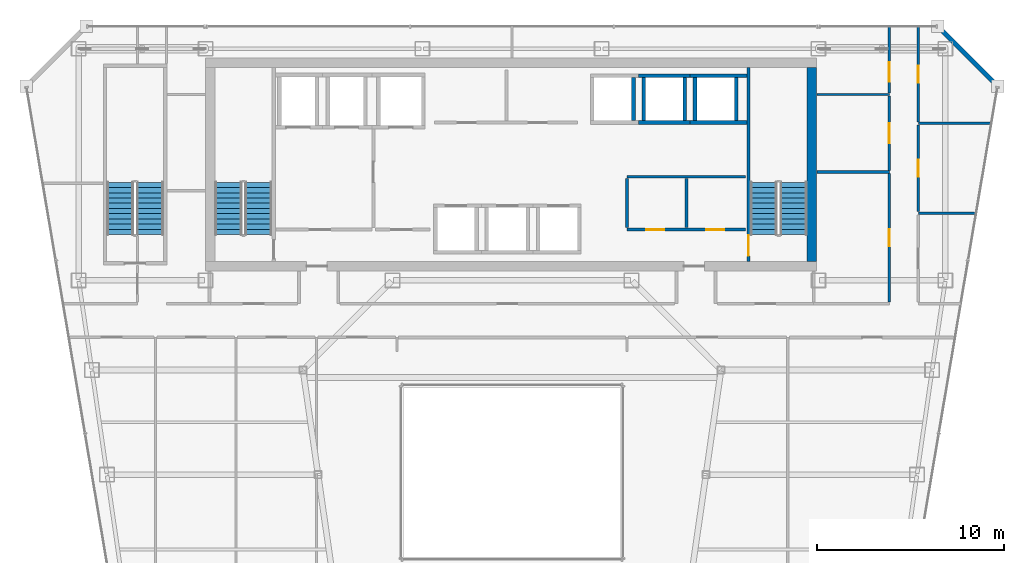
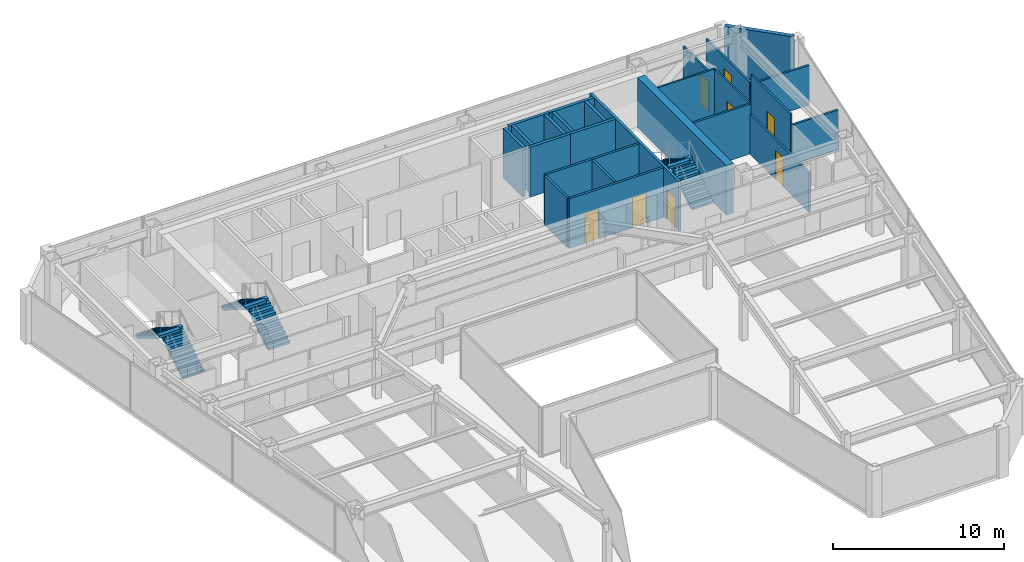
# One storey, part 32 of 35: 25 walls, 8 doors, 6 stair flights, 8 openings, 3 elements without a shape of their own.
"""IFC4 building model written with IfcOpenShell, lengths in metres."""

from ifc_helpers import new_model, si_unit, direction, frame, frame_2d, origin, place, context, subcontext, project, spatial, polyline, rectangle, outline, extrude, material, layer, layer_set, type_object, element, fill, aggregate, save


model = new_model("IFC4")

# Units and contexts
model_context = context("Model", 3, precision=1e-05, world=origin(), true_north=direction((0.0, 1.0)))
body_context = subcontext(model_context, "Body", "Model", "MODEL_VIEW")
ifc_project = project(units=[si_unit("LENGTHUNIT", "METRE"), si_unit("AREAUNIT", "SQUARE_METRE"), si_unit("VOLUMEUNIT", "CUBIC_METRE"), si_unit("PLANEANGLEUNIT", "RADIAN"), si_unit("MASSUNIT", "GRAM", prefix="KILO")], contexts=[model_context])

# Site, building, storey
site_placement = place(None, origin())
site = spatial("IfcSite", under=ifc_project, at=site_placement, CompositionType="ELEMENT")
building_placement = place(site_placement, origin())
building = spatial("IfcBuilding", under=site, at=building_placement, Name="Saevonmaru Cultural Tower", CompositionType="ELEMENT")
storey_placement = place(building_placement, frame((0.0, 0.0, 194.199951171875)))
storey = spatial("IfcBuildingStorey", under=building, at=storey_placement, Name="L44", CompositionType="ELEMENT", Elevation=194.199951171875)

# Wall
ifc_material_1 = material(Name="Concrete C60/75", Category="concrete")
ifc_layer_1 = layer(ifc_material_1, 0.5, Name="Concrete C60/75")
ifc_layer_set_1 = layer_set([ifc_layer_1], Name="Concrete C60/75")
wall_type_1 = type_object("IfcWallType", Name="WL-CORE-500", PredefinedType="SHEAR", material=ifc_layer_set_1)
wall_1_placement = place(storey_placement, frame((46.050048828125, 43.39990234375, 0.0), z_axis=(0.0, 0.0, 1.0), x_axis=(0.0, 1.0, 0.0)))
element("IfcWall", 1, at=wall_1_placement, inside=storey, type_object=wall_type_1, Name="L44 Tower RC core shear wall E", PredefinedType="SHEAR", context=body_context, shape_type="SweptSolid", body=[
    extrude(rectangle(XDim=10.400146484375, YDim=0.5, at=frame_2d((5.2001953125, 0.0))), origin(), (0.0, 0.0, 1.0), 3.550048828125),
])

# Wall, openings, doors
ifc_material_2 = material(Name="Gypsum Fireboard Partition", Category="gypsum")
ifc_layer_2 = layer(ifc_material_2, 0.14990234375, Name="Gypsum Fireboard Partition")
ifc_layer_set_2 = layer_set([ifc_layer_2], Name="Gypsum Fireboard Partition")
wall_type_2 = type_object("IfcWallType", Name="WL-CORE-PART-150", PredefinedType="PARTITIONING", material=ifc_layer_set_2)
wall_2_placement = place(storey_placement, frame((36.14990234375, 45.1201171875, 0.0), z_axis=(0.0, 0.0, 1.0), x_axis=(1.0, 0.0, 0.0)))
wall_2 = element("IfcWall", 2, at=wall_2_placement, inside=storey, type_object=wall_type_2, Name="L44 Core Cluster South Wall", PredefinedType="PARTITIONING", context=body_context, shape_type="SweptSolid", body=[
    extrude(rectangle(XDim=6.35009765625, YDim=0.14990234375, at=frame_2d((3.175048828125, 0.0))), origin(), (0.0, 0.0, 1.0), 3.550048828125),
])
opening_1_placement = place(wall_2_placement, frame((1.050048828125, 0.0, 0.0)))
opening_1 = element("IfcOpeningElement", 3, at=opening_1_placement, cuts=wall_2, Name="Opening FD-4", PredefinedType="OPENING", context=body_context, shape_type="SweptSolid", body=[
    extrude(rectangle(XDim=0.949951171875, YDim=2.14990234375, at=frame_2d((0.47509765625, 1.074951171875))), frame((0.0, 0.0849609375, 0.0), z_axis=(0.0, -1.0, 0.0), x_axis=(1.0, 0.0, 0.0)), (0.0, 0.0, 1.0), 0.169921875),
])
opening_2_placement = place(wall_2_placement, frame((4.25, 0.0, 0.0)))
opening_2 = element("IfcOpeningElement", 4, at=opening_2_placement, cuts=wall_2, Name="Opening FD-4", PredefinedType="OPENING", context=body_context, shape_type="SweptSolid", body=[
    extrude(rectangle(XDim=0.949951171875, YDim=2.14990234375, at=frame_2d((0.47509765625, 1.074951171875))), frame((0.0, 0.0849609375, 0.0), z_axis=(0.0, -1.0, 0.0), x_axis=(1.0, 0.0, 0.0)), (0.0, 0.0, 1.0), 0.169921875),
])
ifc_material_3 = material(Name="Satin Bronze Anodised Aluminium", Category="aluminium")
door_type_1 = type_object("IfcDoorType", Name="DR-FD60-950", OperationType="SINGLE_SWING_LEFT", PredefinedType="DOOR", material=ifc_material_3)
door_1_placement = place(opening_1_placement, origin())
door_1 = element("IfcDoor", 5, at=door_1_placement, inside=storey, type_object=door_type_1, Name="L44 BMS Control Room Door", OperationType="SINGLE_SWING_LEFT", OverallHeight=2.14990234375, OverallWidth=0.949951171875, PredefinedType="DOOR", context=body_context, shape_type="SweptSolid", body=[
    extrude(rectangle(XDim=0.949951171875, YDim=2.14990234375, at=frame_2d((0.47509765625, 1.074951171875))), frame((0.0, 0.02490234375, 0.0), z_axis=(0.0, -1.0, 0.0), x_axis=(1.0, 0.0, 0.0)), (0.0, 0.0, 1.0), 0.050048828125),
])
fill(opening_1, door_1)
door_2_placement = place(opening_2_placement, origin())
door_2 = element("IfcDoor", 6, at=door_2_placement, inside=storey, type_object=door_type_1, Name="L44 Fibre Node Plant Door", OperationType="SINGLE_SWING_LEFT", OverallHeight=2.14990234375, OverallWidth=0.949951171875, PredefinedType="DOOR", context=body_context, shape_type="SweptSolid", body=[
    extrude(rectangle(XDim=0.949951171875, YDim=2.14990234375, at=frame_2d((0.47509765625, 1.074951171875))), frame((0.0, 0.02490234375, 0.0), z_axis=(0.0, -1.0, 0.0), x_axis=(1.0, 0.0, 0.0)), (0.0, 0.0, 1.0), 0.050048828125),
])
fill(opening_2, door_2)

# Walls
wall_3_placement = place(storey_placement, frame((36.14990234375, 47.949951171875, 0.0), z_axis=(0.0, 0.0, 1.0), x_axis=(1.0, 0.0, 0.0)))
element("IfcWall", 7, at=wall_3_placement, inside=storey, type_object=wall_type_2, Name="L44 Core Cluster North Wall", PredefinedType="PARTITIONING", context=body_context, shape_type="SweptSolid", body=[
    extrude(rectangle(XDim=6.35009765625, YDim=0.14990234375, at=frame_2d((3.175048828125, 0.0))), origin(), (0.0, 0.0, 1.0), 3.550048828125),
])
for number, where, z_axis, x_axis, name in (
    (8, (36.14990234375, 45.219970703125, 0.0), (0.0, 0.0, 1.0), (0.0, 1.0, 0.0), "L44 Core Cluster West Wall"),
    (9, (39.35009765625, 45.219970703125, 0.0), (0.0, 0.0, 1.0), (0.0, 1.0, 0.0), "L44 Core Cluster Inner Split"),
):
    element("IfcWall", number, at=place(storey_placement, frame(where, z_axis=z_axis, x_axis=x_axis)), inside=storey, type_object=wall_type_2, Name=name, PredefinedType="PARTITIONING", context=body_context, shape_type="SweptSolid", body=[
        extrude(rectangle(XDim=2.630126953125, YDim=0.14990234375, at=frame_2d((1.31494140625, 0.0))), origin(), (0.0, 0.0, 1.0), 3.550048828125),
    ])
ifc_material_4 = material(Name="Granite-Clad Precast Concrete C40/50", Category="masonry")
ifc_layer_3 = layer(ifc_material_4, 0.260009765625, Name="Granite-Clad Precast Concrete C40/50")
ifc_layer_set_3 = layer_set([ifc_layer_3], Name="Granite-Clad Precast Concrete C40/50")
wall_type_3 = type_object("IfcWallType", Name="WL-EXT-SPANDREL-260", PredefinedType="STANDARD", material=ifc_layer_set_3)
wall_4_placement = place(storey_placement, frame((55.886962890625, 52.9130859375, 0.0), z_axis=(0.0, 0.0, 1.0), x_axis=(-0.707106781187, 0.707106781187, 0.0)))
element("IfcWall", 10, at=wall_4_placement, inside=storey, type_object=wall_type_3, Name="L44 Chamfer Corner Spandrel Wall E9", PredefinedType="STANDARD", context=body_context, shape_type="SweptSolid", body=[
    extrude(rectangle(XDim=4.205810546875, YDim=0.260009765625, at=frame_2d((2.10302734375, 0.0))), origin(), (0.0, 0.0, 1.0), 3.550048828125),
])
ifc_layer_4 = layer(ifc_material_2, 0.1201171875, Name="Gypsum Fireboard Partition")
ifc_layer_set_4 = layer_set([ifc_layer_4], Name="Gypsum Fireboard Partition")
wall_type_4 = type_object("IfcWallType", Name="WL-PART-GYP-120", PredefinedType="PARTITIONING", material=ifc_layer_set_4)
wall_5_placement = place(storey_placement, frame((46.320068359375, 52.35009765625, 0.0), z_axis=(0.0, 0.0, 1.0), x_axis=(1.0, 0.0, 0.0)))
element("IfcWall", 11, at=wall_5_placement, inside=storey, type_object=wall_type_4, Name="L44 North-East Panorama South Wall", PredefinedType="PARTITIONING", context=body_context, shape_type="SweptSolid", body=[
    extrude(rectangle(XDim=3.8798828125, YDim=0.1201171875, at=frame_2d((1.93994140625, 0.0))), origin(), (0.0, 0.0, 1.0), 3.550048828125),
])

# Wall, opening, door
wall_6_placement = place(storey_placement, frame((50.199951171875, 48.2900390625, 0.0), z_axis=(0.0, 0.0, 1.0), x_axis=(0.0, 1.0, 0.0)))
wall_6 = element("IfcWall", 12, at=wall_6_placement, inside=storey, type_object=wall_type_4, Name="L44 Rare Manuscript Reading Room Corridor Wall", PredefinedType="PARTITIONING", context=body_context, shape_type="SweptSolid", body=[
    extrude(rectangle(XDim=3.97998046875, YDim=0.1201171875, at=frame_2d((1.989990234375, 0.0))), origin(), (0.0, 0.0, 1.0), 3.550048828125),
])
opening_3_placement = place(wall_6_placement, frame((1.465087890625, 0.0, 0.0)))
opening_3 = element("IfcOpeningElement", 13, at=opening_3_placement, cuts=wall_6, Name="Opening ID-1", PredefinedType="OPENING", context=body_context, shape_type="SweptSolid", body=[
    extrude(rectangle(XDim=1.050048828125, YDim=2.14990234375, at=frame_2d((0.52490234375, 1.074951171875))), frame((0.0, 0.070068359375, 0.0), z_axis=(0.0, -1.0, 0.0), x_axis=(1.0, 0.0, 0.0)), (0.0, 0.0, 1.0), 0.14013671875),
])
door_type_2 = type_object("IfcDoorType", Name="DR-INT-1050", OperationType="SINGLE_SWING_LEFT", PredefinedType="DOOR", material=ifc_material_3)
door_3_placement = place(opening_3_placement, origin())
door_3 = element("IfcDoor", 14, at=door_3_placement, inside=storey, type_object=door_type_2, Name="L44 Rare Manuscript Reading Room Door", OperationType="SINGLE_SWING_LEFT", OverallHeight=2.14990234375, OverallWidth=1.050048828125, PredefinedType="DOOR", context=body_context, shape_type="SweptSolid", body=[
    extrude(rectangle(XDim=1.050048828125, YDim=2.14990234375, at=frame_2d((0.52490234375, 1.074951171875))), frame((0.0, 0.02490234375, 0.0), z_axis=(0.0, -1.0, 0.0), x_axis=(1.0, 0.0, 0.0)), (0.0, 0.0, 1.0), 0.050048828125),
])
fill(opening_3, door_3)

wall_7_placement = place(storey_placement, frame((50.199951171875, 52.429931640625, 0.0), z_axis=(0.0, 0.0, 1.0), x_axis=(0.0, 1.0, 0.0)))
wall_7 = element("IfcWall", 15, at=wall_7_placement, inside=storey, type_object=wall_type_4, Name="L44 Cartographic Study Library Corridor Wall", PredefinedType="PARTITIONING", context=body_context, shape_type="SweptSolid", body=[
    extrude(rectangle(XDim=3.565185546875, YDim=0.1201171875, at=frame_2d((1.78271484375, 0.0))), origin(), (0.0, 0.0, 1.0), 2.93505859375),
])
opening_4_placement = place(wall_7_placement, frame((0.596923828125, 0.0, 0.0)))
opening_4 = element("IfcOpeningElement", 16, at=opening_4_placement, cuts=wall_7, Name="Opening ID-1", PredefinedType="OPENING", context=body_context, shape_type="SweptSolid", body=[
    extrude(rectangle(XDim=1.050048828125, YDim=2.14990234375, at=frame_2d((0.52490234375, 1.074951171875))), frame((0.0, 0.070068359375, 0.0), z_axis=(0.0, -1.0, 0.0), x_axis=(1.0, 0.0, 0.0)), (0.0, 0.0, 1.0), 0.14013671875),
])
door_4_placement = place(opening_4_placement, origin())
door_4 = element("IfcDoor", 17, at=door_4_placement, inside=storey, type_object=door_type_2, Name="L44 Cartographic Study Library Door", OperationType="SINGLE_SWING_RIGHT", OverallHeight=2.14990234375, OverallWidth=1.050048828125, PredefinedType="DOOR", context=body_context, shape_type="SweptSolid", body=[
    extrude(rectangle(XDim=1.050048828125, YDim=2.14990234375, at=frame_2d((0.52490234375, 1.074951171875))), frame((0.0, 0.02490234375, 0.0), z_axis=(0.0, -1.0, 0.0), x_axis=(1.0, 0.0, 0.0)), (0.0, 0.0, 1.0), 0.050048828125),
])
fill(opening_4, door_4)

wall_8_placement = place(storey_placement, frame((51.75, 46.08740234375, 0.0), z_axis=(0.0, 0.0, 1.0), x_axis=(0.0, 1.0, 0.0)))
wall_8 = element("IfcWall", 18, at=wall_8_placement, inside=storey, type_object=wall_type_4, Name="L44 Scholarly Colloquium Meeting Room Corridor Wall", PredefinedType="PARTITIONING", context=body_context, shape_type="SweptSolid", body=[
    extrude(rectangle(XDim=4.625, YDim=0.1201171875, at=frame_2d((2.3125, 0.0))), origin(), (0.0, 0.0, 1.0), 3.550048828125),
])
opening_5_placement = place(wall_8_placement, frame((1.863037109375, 0.0, 0.0)))
opening_5 = element("IfcOpeningElement", 19, at=opening_5_placement, cuts=wall_8, Name="Opening ID-2", PredefinedType="OPENING", context=body_context, shape_type="SweptSolid", body=[
    extrude(rectangle(XDim=0.89990234375, YDim=2.10009765625, at=frame_2d((0.449951171875, 1.050048828125))), frame((0.0, 0.070068359375, 0.0), z_axis=(0.0, -1.0, 0.0), x_axis=(1.0, 0.0, 0.0)), (0.0, 0.0, 1.0), 0.14013671875),
])
ifc_material_5 = material(Name="Acoustic Stained Oak Timber", Category="wood")
door_type_3 = type_object("IfcDoorType", Name="DR-INT-900", OperationType="SINGLE_SWING_RIGHT", PredefinedType="DOOR", material=ifc_material_5)
door_5_placement = place(opening_5_placement, origin())
door_5 = element("IfcDoor", 20, at=door_5_placement, inside=storey, type_object=door_type_3, Name="L44 Scholarly Colloquium Meeting Room Door", OperationType="SINGLE_SWING_LEFT", OverallHeight=2.10009765625, OverallWidth=0.89990234375, PredefinedType="DOOR", context=body_context, shape_type="SweptSolid", body=[
    extrude(rectangle(XDim=0.89990234375, YDim=2.10009765625, at=frame_2d((0.449951171875, 1.050048828125))), frame((0.0, 0.02490234375, 0.0), z_axis=(0.0, -1.0, 0.0), x_axis=(1.0, 0.0, 0.0)), (0.0, 0.0, 1.0), 0.050048828125),
])
fill(opening_5, door_5)

wall_9_placement = place(storey_placement, frame((51.75, 50.887451171875, 0.0), z_axis=(0.0, 0.0, 1.0), x_axis=(0.0, 1.0, 0.0)))
wall_9 = element("IfcWall", 21, at=wall_9_placement, inside=storey, type_object=wall_type_4, Name="L44 Digital Humanities Office Corridor Wall", PredefinedType="PARTITIONING", context=body_context, shape_type="SweptSolid", body=[
    extrude(rectangle(XDim=5.107666015625, YDim=0.1201171875, at=frame_2d((2.5537109375, 0.0))), origin(), (0.0, 0.0, 1.0), 2.93505859375),
])
opening_6_placement = place(wall_9_placement, frame((2.10400390625, 0.0, 0.0)))
opening_6 = element("IfcOpeningElement", 22, at=opening_6_placement, cuts=wall_9, Name="Opening ID-2", PredefinedType="OPENING", context=body_context, shape_type="SweptSolid", body=[
    extrude(rectangle(XDim=0.89990234375, YDim=2.10009765625, at=frame_2d((0.449951171875, 1.050048828125))), frame((0.0, 0.070068359375, 0.0), z_axis=(0.0, -1.0, 0.0), x_axis=(1.0, 0.0, 0.0)), (0.0, 0.0, 1.0), 0.14013671875),
])
door_6_placement = place(opening_6_placement, origin())
door_6 = element("IfcDoor", 23, at=door_6_placement, inside=storey, type_object=door_type_3, Name="L44 Digital Humanities Office Door", OperationType="SINGLE_SWING_RIGHT", OverallHeight=2.10009765625, OverallWidth=0.89990234375, PredefinedType="DOOR", context=body_context, shape_type="SweptSolid", body=[
    extrude(rectangle(XDim=0.89990234375, YDim=2.10009765625, at=frame_2d((0.449951171875, 1.050048828125))), frame((0.0, 0.02490234375, 0.0), z_axis=(0.0, -1.0, 0.0), x_axis=(1.0, 0.0, 0.0)), (0.0, 0.0, 1.0), 0.050048828125),
])
fill(opening_6, door_6)

# Walls
ifc_layer_5 = layer(ifc_material_2, 0.135009765625, Name="Gypsum Fireboard Partition")
ifc_layer_set_5 = layer_set([ifc_layer_5], Name="Gypsum Fireboard Partition")
wall_type_5 = type_object("IfcWallType", Name="WL-PART-GYP-135", PredefinedType="PARTITIONING", material=ifc_layer_set_5)
wall_10_placement = place(storey_placement, frame((51.75, 46.0, 0.0), z_axis=(0.0, 0.0, 1.0), x_axis=(1.0, 0.0, 0.0)))
element("IfcWall", 24, at=wall_10_placement, inside=storey, type_object=wall_type_5, Name="L44 NE Studio Divider 1", PredefinedType="PARTITIONING", context=body_context, shape_type="SweptSolid", body=[
    extrude(rectangle(XDim=3.09375, YDim=0.135009765625, at=frame_2d((1.546875, 0.0))), origin(), (0.0, 0.0, 1.0), 2.8349609375),
])
wall_11_placement = place(storey_placement, frame((51.75, 50.800048828125, 0.0), z_axis=(0.0, 0.0, 1.0), x_axis=(1.0, 0.0, 0.0)))
element("IfcWall", 25, at=wall_11_placement, inside=storey, type_object=wall_type_5, Name="L44 NE Studio Divider 2", PredefinedType="PARTITIONING", context=body_context, shape_type="SweptSolid", body=[
    extrude(rectangle(XDim=3.90625, YDim=0.135009765625, at=frame_2d((1.953125, 0.0))), origin(), (0.0, 0.0, 1.0), 2.8349609375),
])
ifc_layer_6 = layer(ifc_material_2, 0.139892578125, Name="Gypsum Fireboard Partition")
ifc_layer_set_6 = layer_set([ifc_layer_6], Name="Gypsum Fireboard Partition")
wall_type_6 = type_object("IfcWallType", Name="WL-PART-WET-140", PredefinedType="PARTITIONING", material=ifc_layer_set_6)
wall_12_placement = place(storey_placement, frame((46.320068359375, 48.199951171875, 0.0), z_axis=(0.0, 0.0, 1.0), x_axis=(1.0, 0.0, 0.0)))
element("IfcWall", 26, at=wall_12_placement, inside=storey, type_object=wall_type_6, Name="L44 Washroom North Wall", PredefinedType="PARTITIONING", context=body_context, shape_type="SweptSolid", body=[
    extrude(rectangle(XDim=3.8798828125, YDim=0.139892578125, at=frame_2d((1.93994140625, 0.0))), origin(), (0.0, 0.0, 1.0), 3.550048828125),
])

# Wall, opening, door
wall_13_placement = place(storey_placement, frame((50.199951171875, 41.239990234375, 0.0), z_axis=(0.0, 0.0, 1.0), x_axis=(0.0, 1.0, 0.0)))
wall_13 = element("IfcWall", 27, at=wall_13_placement, inside=storey, type_object=wall_type_6, Name="L44 Washroom Corridor Wall", PredefinedType="PARTITIONING", context=body_context, shape_type="SweptSolid", body=[
    extrude(rectangle(XDim=6.8701171875, YDim=0.139892578125, at=frame_2d((3.43505859375, 0.0))), origin(), (0.0, 0.0, 1.0), 2.8349609375),
])
opening_7_placement = place(wall_13_placement, frame((2.985107421875, 0.0, 0.0)))
opening_7 = element("IfcOpeningElement", 28, at=opening_7_placement, cuts=wall_13, Name="Opening ID-2", PredefinedType="OPENING", context=body_context, shape_type="SweptSolid", body=[
    extrude(rectangle(XDim=0.89990234375, YDim=2.10009765625, at=frame_2d((0.449951171875, 1.050048828125))), frame((0.0, 0.080078125, 0.0), z_axis=(0.0, -1.0, 0.0), x_axis=(1.0, 0.0, 0.0)), (0.0, 0.0, 1.0), 0.159912109375),
])
door_7_placement = place(opening_7_placement, origin())
door_7 = element("IfcDoor", 29, at=door_7_placement, inside=storey, type_object=door_type_3, Name="L44 Public Accessible Washrooms Door", OperationType="SINGLE_SWING_RIGHT", OverallHeight=2.10009765625, OverallWidth=0.89990234375, PredefinedType="DOOR", context=body_context, shape_type="SweptSolid", body=[
    extrude(rectangle(XDim=0.89990234375, YDim=2.10009765625, at=frame_2d((0.449951171875, 1.050048828125))), frame((0.0, 0.02490234375, 0.0), z_axis=(0.0, -1.0, 0.0), x_axis=(1.0, 0.0, 0.0)), (0.0, 0.0, 1.0), 0.050048828125),
])
fill(opening_7, door_7)

# Walls
ifc_material_6 = material(Name="Concrete C40/50", Category="concrete")
ifc_layer_7 = layer(ifc_material_6, 0.199951171875, Name="Concrete C40/50")
ifc_layer_set_7 = layer_set([ifc_layer_7], Name="Concrete C40/50")
wall_type_7 = type_object("IfcWallType", Name="WL-SHAFT-200", PredefinedType="SHEAR", material=ifc_layer_set_7)
wall_14_placement = place(storey_placement, frame((36.5, 50.949951171875, 0.0), z_axis=(0.0, 0.0, 1.0), x_axis=(0.0, 1.0, 0.0)))
element("IfcWall", 30, at=wall_14_placement, inside=storey, type_object=wall_type_7, Name="L44 Lift PL-H1 Hoistway Wall E", PredefinedType="SHEAR", context=body_context, shape_type="SweptSolid", body=[
    extrude(rectangle(XDim=2.300048828125, YDim=0.199951171875, at=frame_2d((1.14990234375, 0.0))), origin(), (0.0, 0.0, 1.0), 3.550048828125),
])
for number, where, z_axis, x_axis, name in (
    (31, (36.77490234375, 50.85009765625, 0.0), (0.0, 0.0, 1.0), (1.0, 0.0, 0.0), "L44 Lift PL-H2 Hoistway Wall S"),
    (32, (36.77490234375, 53.35009765625, 0.0), (0.0, 0.0, 1.0), (1.0, 0.0, 0.0), "L44 Lift PL-H2 Hoistway Wall N"),
):
    element("IfcWall", number, at=place(storey_placement, frame(where, z_axis=z_axis, x_axis=x_axis)), inside=storey, type_object=wall_type_7, Name=name, PredefinedType="SHEAR", context=body_context, shape_type="SweptSolid", body=[
        extrude(rectangle(XDim=2.75, YDim=0.199951171875, at=frame_2d((1.375, 0.0))), origin(), (0.0, 0.0, 1.0), 3.550048828125),
    ])
for number, where, z_axis, x_axis, name in (
    (33, (37.050048828125, 50.949951171875, 0.0), (0.0, 0.0, 1.0), (0.0, 1.0, 0.0), "L44 Lift PL-H2 Hoistway Wall W"),
    (34, (39.25, 50.949951171875, 0.0), (0.0, 0.0, 1.0), (0.0, 1.0, 0.0), "L44 Lift PL-H2 Hoistway Wall E"),
):
    element("IfcWall", number, at=place(storey_placement, frame(where, z_axis=z_axis, x_axis=x_axis)), inside=storey, type_object=wall_type_7, Name=name, PredefinedType="SHEAR", context=body_context, shape_type="SweptSolid", body=[
        extrude(rectangle(XDim=2.300048828125, YDim=0.199951171875, at=frame_2d((1.14990234375, 0.0))), origin(), (0.0, 0.0, 1.0), 3.550048828125),
    ])
for number, where, z_axis, x_axis, name in (
    (35, (39.52490234375, 50.85009765625, 0.0), (0.0, 0.0, 1.0), (1.0, 0.0, 0.0), "L44 Lift PL-H3 Hoistway Wall S"),
    (36, (39.52490234375, 53.35009765625, 0.0), (0.0, 0.0, 1.0), (1.0, 0.0, 0.0), "L44 Lift PL-H3 Hoistway Wall N"),
):
    element("IfcWall", number, at=place(storey_placement, frame(where, z_axis=z_axis, x_axis=x_axis)), inside=storey, type_object=wall_type_7, Name=name, PredefinedType="SHEAR", context=body_context, shape_type="SweptSolid", body=[
        extrude(rectangle(XDim=3.045166015625, YDim=0.199951171875, at=frame_2d((1.5224609375, 0.0))), origin(), (0.0, 0.0, 1.0), 3.550048828125),
    ])
for number, where, z_axis, x_axis, name in (
    (37, (39.800048828125, 50.949951171875, 0.0), (0.0, 0.0, 1.0), (0.0, 1.0, 0.0), "L44 Lift PL-H3 Hoistway Wall W"),
    (38, (42.0, 50.949951171875, 0.0), (0.0, 0.0, 1.0), (0.0, 1.0, 0.0), "L44 Lift PL-H3 Hoistway Wall E"),
):
    element("IfcWall", number, at=place(storey_placement, frame(where, z_axis=z_axis, x_axis=x_axis)), inside=storey, type_object=wall_type_7, Name=name, PredefinedType="SHEAR", context=body_context, shape_type="SweptSolid", body=[
        extrude(rectangle(XDim=2.300048828125, YDim=0.199951171875, at=frame_2d((1.14990234375, 0.0))), origin(), (0.0, 0.0, 1.0), 3.550048828125),
    ])

# Wall, opening, door
ifc_layer_8 = layer(ifc_material_6, 0.179931640625, Name="Concrete C40/50")
ifc_layer_set_8 = layer_set([ifc_layer_8], Name="Concrete C40/50")
wall_type_8 = type_object("IfcWallType", Name="WL-STSHAFT-180", PredefinedType="SHEAR", material=ifc_layer_set_8)
wall_15_placement = place(storey_placement, frame((42.659912109375, 53.800048828125, 0.0), z_axis=(0.0, 0.0, 1.0), x_axis=(0.0, -1.0, 0.0)))
wall_15 = element("IfcWall", 39, at=wall_15_placement, inside=storey, type_object=wall_type_8, Name="L44 Stair ST-2 Structural Shaft Wall 1", PredefinedType="SHEAR", context=body_context, shape_type="SweptSolid", body=[
    extrude(rectangle(XDim=10.400146484375, YDim=0.179931640625, at=frame_2d((5.2001953125, 0.0))), origin(), (0.0, 0.0, 1.0), 3.550048828125),
])
opening_8_placement = place(wall_15_placement, frame((8.989990234375, 0.0, 0.0)))
opening_8 = element("IfcOpeningElement", 40, at=opening_8_placement, cuts=wall_15, Name="Opening FD-2", PredefinedType="OPENING", context=body_context, shape_type="SweptSolid", body=[
    extrude(rectangle(XDim=1.10009765625, YDim=2.14990234375, at=frame_2d((0.550048828125, 1.074951171875))), frame((0.0, 0.10009765625, 0.0), z_axis=(0.0, -1.0, 0.0), x_axis=(1.0, 0.0, 0.0)), (0.0, 0.0, 1.0), 0.199951171875),
])
door_type_4 = type_object("IfcDoorType", Name="DR-FD60-1100", OperationType="SINGLE_SWING_LEFT", PredefinedType="DOOR", material=ifc_material_3)
door_8_placement = place(opening_8_placement, origin())
door_8 = element("IfcDoor", 41, at=door_8_placement, inside=storey, type_object=door_type_4, Name="L44 Protected Stair ST-2 Fire Door", OperationType="SINGLE_SWING_LEFT", OverallHeight=2.14990234375, OverallWidth=1.10009765625, PredefinedType="DOOR", context=body_context, shape_type="SweptSolid", body=[
    extrude(rectangle(XDim=1.10009765625, YDim=2.14990234375, at=frame_2d((0.550048828125, 1.074951171875))), frame((0.0, 0.02490234375, 0.0), z_axis=(0.0, -1.0, 0.0), x_axis=(1.0, 0.0, 0.0)), (0.0, 0.0, 1.0), 0.050048828125),
])
fill(opening_8, door_8)

# Stair, stair flights
stair_type = type_object("IfcStairType", Name="STR-DOGLEG-RC", PredefinedType="HALF_TURN_STAIR", material=ifc_material_6)
stair_1_placement = place(storey_placement, origin())
stair_1 = element("IfcStair", 42, at=stair_1_placement, inside=storey, type_object=stair_type, Name="L44 Protected exit stair ST-1", PredefinedType="HALF_TURN_STAIR")
ifc_material_7 = material(Name="Precast concrete C40/50", Category="concrete")
stair_flight_type = type_object("IfcStairFlightType", Name="STF-PRECAST-180", PredefinedType="STRAIGHT", material=ifc_material_7)
stair_flight_1_placement = place(storey_placement, frame((16.425048828125, 44.85009765625, 0.0), z_axis=(0.0, 0.0, 1.0), x_axis=(0.0, 1.0, 0.0)))
stair_flight_1 = element("IfcStairFlight", 43, at=stair_flight_1_placement, type_object=stair_flight_type, Name="ST-1-L44 flight 1", NumberOfRisers=11, NumberOfTreads=10, PredefinedType="STRAIGHT", RiserHeight=0.172727273, TreadLength=0.28, context=body_context, shape_type="SweptSolid", body=[
    extrude(outline(polyline([(0.0, 0.0), (0.0, 0.172607421875), (0.280029296875, 0.172607421875), (0.280029296875, 0.345458984375), (0.56005859375, 0.345458984375), (0.56005859375, 0.51806640625), (0.840087890625, 0.51806640625), (0.840087890625, 0.69091796875), (1.1201171875, 0.69091796875), (1.1201171875, 0.863525390625), (1.39990234375, 0.863525390625), (1.39990234375, 1.036376953125), (1.679931640625, 1.036376953125), (1.679931640625, 1.208984375), (1.9599609375, 1.208984375), (1.9599609375, 1.3818359375), (2.239990234375, 1.3818359375), (2.239990234375, 1.554443359375), (2.52001953125, 1.554443359375), (2.52001953125, 1.727294921875), (2.800048828125, 1.727294921875), (2.800048828125, 1.89990234375), (2.800048828125, 1.551025390625), (0.285400390625, 0.0), (0.0, 0.0)])), frame((0.0, 0.72509765625, 0.0), z_axis=(0.0, -1.0, 0.0), x_axis=(1.0, 0.0, 0.0)), (0.0, 0.0, 1.0), 1.449951171875),
])
stair_flight_2_placement = place(storey_placement, frame((14.824951171875, 47.64990234375, 1.900146484375), z_axis=(0.0, 0.0, 1.0), x_axis=(0.0, -1.0, 0.0)))
stair_flight_2 = element("IfcStairFlight", 44, at=stair_flight_2_placement, type_object=stair_flight_type, Name="ST-1-L44 flight 2", NumberOfRisers=11, NumberOfTreads=10, PredefinedType="STRAIGHT", RiserHeight=0.172727273, TreadLength=0.28, context=body_context, shape_type="SweptSolid", body=[
    extrude(outline(polyline([(0.0, 0.0), (0.0, 0.172607421875), (0.280029296875, 0.172607421875), (0.280029296875, 0.345458984375), (0.56005859375, 0.345458984375), (0.56005859375, 0.51806640625), (0.840087890625, 0.51806640625), (0.840087890625, 0.69091796875), (1.1201171875, 0.69091796875), (1.1201171875, 0.863525390625), (1.39990234375, 0.863525390625), (1.39990234375, 1.036376953125), (1.679931640625, 1.036376953125), (1.679931640625, 1.208984375), (1.9599609375, 1.208984375), (1.9599609375, 1.3818359375), (2.239990234375, 1.3818359375), (2.239990234375, 1.554443359375), (2.52001953125, 1.554443359375), (2.52001953125, 1.727294921875), (2.800048828125, 1.727294921875), (2.800048828125, 1.89990234375), (2.800048828125, 1.551025390625), (0.285400390625, 0.0), (0.0, 0.0)])), frame((0.0, 0.72509765625, 0.0), z_axis=(0.0, -1.0, 0.0), x_axis=(1.0, 0.0, 0.0)), (0.0, 0.0, 1.0), 1.449951171875),
])
aggregate(stair_1, [stair_flight_1, stair_flight_2])

stair_2_placement = place(storey_placement, origin())
stair_2 = element("IfcStair", 45, at=stair_2_placement, inside=storey, type_object=stair_type, Name="L44 Protected exit stair ST-2", PredefinedType="HALF_TURN_STAIR")
stair_flight_3_placement = place(storey_placement, frame((45.074951171875, 44.85009765625, 0.0), z_axis=(0.0, 0.0, 1.0), x_axis=(0.0, 1.0, 0.0)))
stair_flight_3 = element("IfcStairFlight", 46, at=stair_flight_3_placement, type_object=stair_flight_type, Name="ST-2-L44 flight 1", NumberOfRisers=11, NumberOfTreads=10, PredefinedType="STRAIGHT", RiserHeight=0.172727273, TreadLength=0.28, context=body_context, shape_type="SweptSolid", body=[
    extrude(outline(polyline([(0.0, 0.0), (0.0, 0.172607421875), (0.280029296875, 0.172607421875), (0.280029296875, 0.345458984375), (0.56005859375, 0.345458984375), (0.56005859375, 0.51806640625), (0.840087890625, 0.51806640625), (0.840087890625, 0.69091796875), (1.1201171875, 0.69091796875), (1.1201171875, 0.863525390625), (1.39990234375, 0.863525390625), (1.39990234375, 1.036376953125), (1.679931640625, 1.036376953125), (1.679931640625, 1.208984375), (1.9599609375, 1.208984375), (1.9599609375, 1.3818359375), (2.239990234375, 1.3818359375), (2.239990234375, 1.554443359375), (2.52001953125, 1.554443359375), (2.52001953125, 1.727294921875), (2.800048828125, 1.727294921875), (2.800048828125, 1.89990234375), (2.800048828125, 1.551025390625), (0.285400390625, 0.0), (0.0, 0.0)])), frame((0.0, 0.72509765625, 0.0), z_axis=(0.0, -1.0, 0.0), x_axis=(1.0, 0.0, 0.0)), (0.0, 0.0, 1.0), 1.449951171875),
])
stair_flight_4_placement = place(storey_placement, frame((43.47509765625, 47.64990234375, 1.900146484375), z_axis=(0.0, 0.0, 1.0), x_axis=(0.0, -1.0, 0.0)))
stair_flight_4 = element("IfcStairFlight", 47, at=stair_flight_4_placement, type_object=stair_flight_type, Name="ST-2-L44 flight 2", NumberOfRisers=11, NumberOfTreads=10, PredefinedType="STRAIGHT", RiserHeight=0.172727273, TreadLength=0.28, context=body_context, shape_type="SweptSolid", body=[
    extrude(outline(polyline([(0.0, 0.0), (0.0, 0.172607421875), (0.280029296875, 0.172607421875), (0.280029296875, 0.345458984375), (0.56005859375, 0.345458984375), (0.56005859375, 0.51806640625), (0.840087890625, 0.51806640625), (0.840087890625, 0.69091796875), (1.1201171875, 0.69091796875), (1.1201171875, 0.863525390625), (1.39990234375, 0.863525390625), (1.39990234375, 1.036376953125), (1.679931640625, 1.036376953125), (1.679931640625, 1.208984375), (1.9599609375, 1.208984375), (1.9599609375, 1.3818359375), (2.239990234375, 1.3818359375), (2.239990234375, 1.554443359375), (2.52001953125, 1.554443359375), (2.52001953125, 1.727294921875), (2.800048828125, 1.727294921875), (2.800048828125, 1.89990234375), (2.800048828125, 1.551025390625), (0.285400390625, 0.0), (0.0, 0.0)])), frame((0.0, 0.72509765625, 0.0), z_axis=(0.0, -1.0, 0.0), x_axis=(1.0, 0.0, 0.0)), (0.0, 0.0, 1.0), 1.449951171875),
])
aggregate(stair_2, [stair_flight_3, stair_flight_4])

stair_3_placement = place(storey_placement, origin())
stair_3 = element("IfcStair", 48, at=stair_3_placement, inside=storey, type_object=stair_type, Name="L44 Protected exit stair ST-3", PredefinedType="HALF_TURN_STAIR")
stair_flight_5_placement = place(storey_placement, frame((10.625, 44.85009765625, 0.0), z_axis=(0.0, 0.0, 1.0), x_axis=(0.0, 1.0, 0.0)))
stair_flight_5 = element("IfcStairFlight", 49, at=stair_flight_5_placement, type_object=stair_flight_type, Name="ST-3-L44 flight 1", NumberOfRisers=11, NumberOfTreads=10, PredefinedType="STRAIGHT", RiserHeight=0.172727273, TreadLength=0.28, context=body_context, shape_type="SweptSolid", body=[
    extrude(outline(polyline([(0.0, 0.0), (0.0, 0.172607421875), (0.280029296875, 0.172607421875), (0.280029296875, 0.345458984375), (0.56005859375, 0.345458984375), (0.56005859375, 0.51806640625), (0.840087890625, 0.51806640625), (0.840087890625, 0.69091796875), (1.1201171875, 0.69091796875), (1.1201171875, 0.863525390625), (1.39990234375, 0.863525390625), (1.39990234375, 1.036376953125), (1.679931640625, 1.036376953125), (1.679931640625, 1.208984375), (1.9599609375, 1.208984375), (1.9599609375, 1.3818359375), (2.239990234375, 1.3818359375), (2.239990234375, 1.554443359375), (2.52001953125, 1.554443359375), (2.52001953125, 1.727294921875), (2.800048828125, 1.727294921875), (2.800048828125, 1.89990234375), (2.800048828125, 1.551025390625), (0.285400390625, 0.0), (0.0, 0.0)])), frame((0.0, 0.72509765625, 0.0), z_axis=(0.0, -1.0, 0.0), x_axis=(1.0, 0.0, 0.0)), (0.0, 0.0, 1.0), 1.449951171875),
])
stair_flight_6_placement = place(storey_placement, frame((9.02490234375, 47.64990234375, 1.900146484375), z_axis=(0.0, 0.0, 1.0), x_axis=(0.0, -1.0, 0.0)))
stair_flight_6 = element("IfcStairFlight", 50, at=stair_flight_6_placement, type_object=stair_flight_type, Name="ST-3-L44 flight 2", NumberOfRisers=11, NumberOfTreads=10, PredefinedType="STRAIGHT", RiserHeight=0.172727273, TreadLength=0.28, context=body_context, shape_type="SweptSolid", body=[
    extrude(outline(polyline([(0.0, 0.0), (0.0, 0.172607421875), (0.280029296875, 0.172607421875), (0.280029296875, 0.345458984375), (0.56005859375, 0.345458984375), (0.56005859375, 0.51806640625), (0.840087890625, 0.51806640625), (0.840087890625, 0.69091796875), (1.1201171875, 0.69091796875), (1.1201171875, 0.863525390625), (1.39990234375, 0.863525390625), (1.39990234375, 1.036376953125), (1.679931640625, 1.036376953125), (1.679931640625, 1.208984375), (1.9599609375, 1.208984375), (1.9599609375, 1.3818359375), (2.239990234375, 1.3818359375), (2.239990234375, 1.554443359375), (2.52001953125, 1.554443359375), (2.52001953125, 1.727294921875), (2.800048828125, 1.727294921875), (2.800048828125, 1.89990234375), (2.800048828125, 1.551025390625), (0.285400390625, 0.0), (0.0, 0.0)])), frame((0.0, 0.72509765625, 0.0), z_axis=(0.0, -1.0, 0.0), x_axis=(1.0, 0.0, 0.0)), (0.0, 0.0, 1.0), 1.449951171875),
])
aggregate(stair_3, [stair_flight_5, stair_flight_6])

save(model, "model.ifc")
